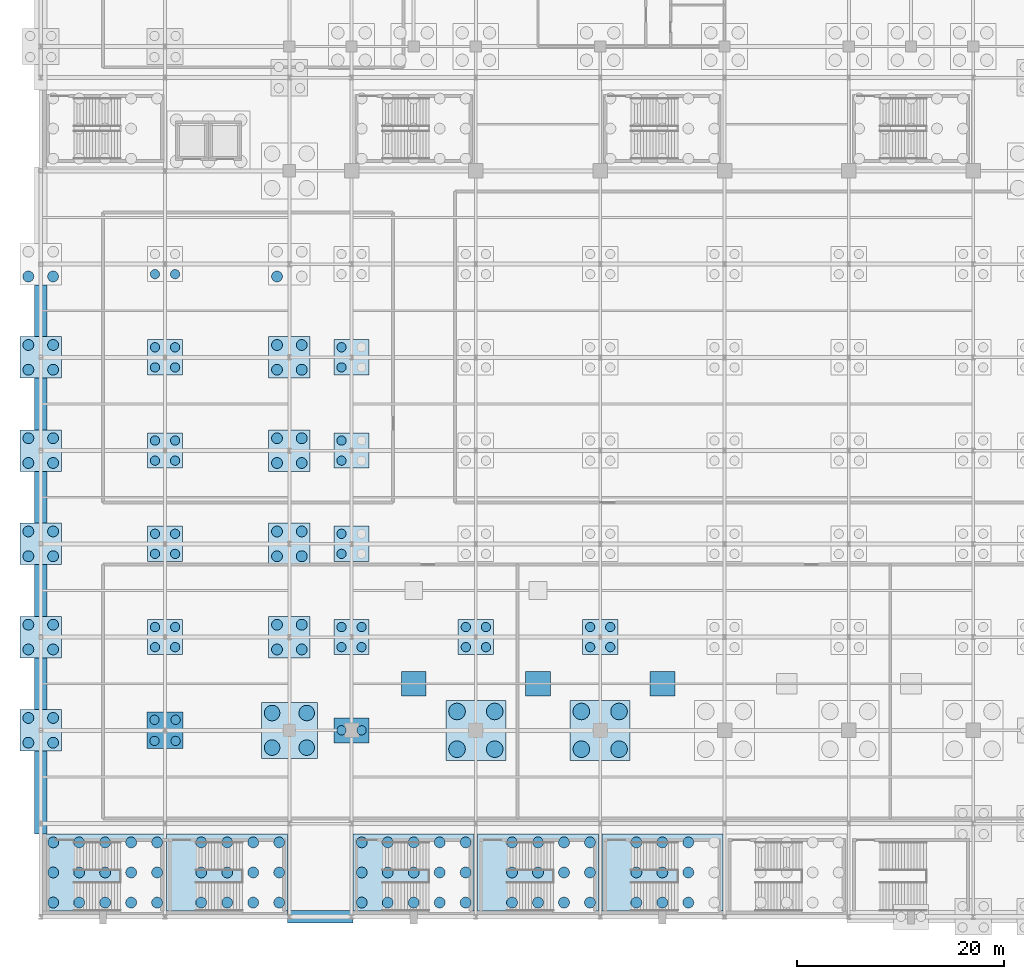
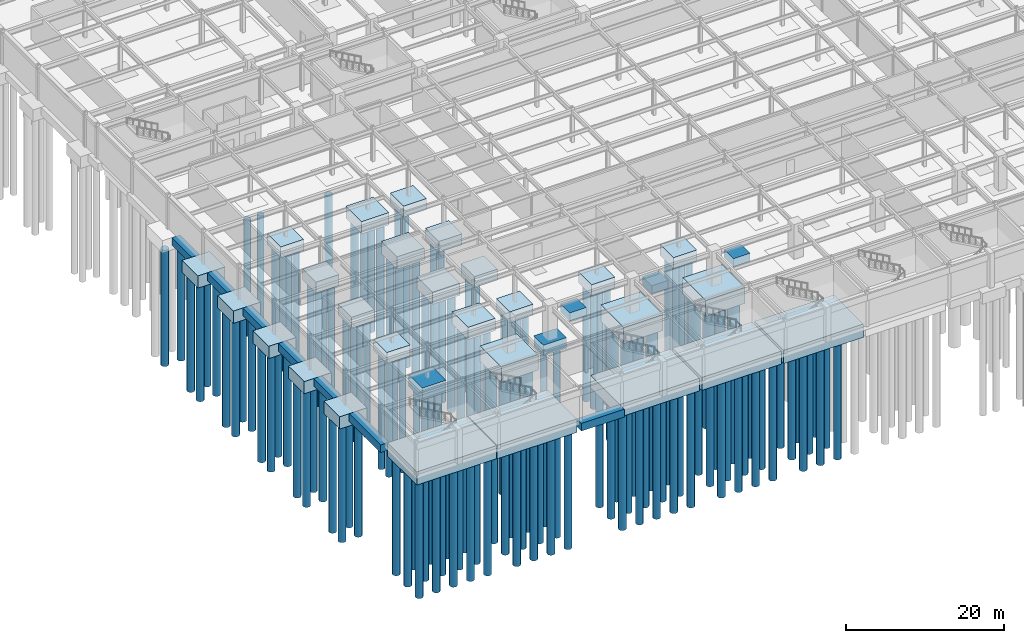
# One storey, part 1 of 47: 156 piles, 39 footings.
"""IFC4 building model written with IfcOpenShell, lengths in metres."""

from ifc_helpers import new_model, si_unit, direction, frame, origin, origin_2d, place, context, subcontext, project, spatial, rectangle, circle, extrude, material, material_profile, profile_set, type_object, element, save


model = new_model("IFC4")

# Units and contexts
model_context = context("Model", 3, precision=1e-05, world=origin(), true_north=direction((0.0, 1.0)))
body_context = subcontext(model_context, "Body", "Model", "MODEL_VIEW")
ifc_project = project(units=[si_unit("LENGTHUNIT", "METRE"), si_unit("AREAUNIT", "SQUARE_METRE"), si_unit("VOLUMEUNIT", "CUBIC_METRE"), si_unit("PLANEANGLEUNIT", "RADIAN"), si_unit("MASSUNIT", "GRAM", prefix="KILO")], contexts=[model_context])

# Site, building, storey
site_placement = place(None, origin())
site = spatial("IfcSite", under=ifc_project, at=site_placement, CompositionType="ELEMENT")
building_placement = place(site_placement, origin())
building = spatial("IfcBuilding", under=site, at=building_placement, Name="Kaldorvane Square Convention Centre", CompositionType="ELEMENT")
storey_placement = place(building_placement, frame((0.0, 0.0, -5.399993896484375)))
storey = spatial("IfcBuildingStorey", under=building, at=storey_placement, Name="B01", CompositionType="ELEMENT", Elevation=-5.399993896484375)

# Footings
ifc_material = material(Name="Concrete f'c = 42 MPa (Normalweight)", Category="concrete")
footing_type_1 = type_object("IfcFootingType", Name="FT-FB-1200X1200", PredefinedType="FOOTING_BEAM", material=ifc_material)
footing_1_placement = place(storey_placement, frame((27.0, 0.0, -1.20001220703125), z_axis=(0.0, 0.0, 1.0), x_axis=(1.0, 0.0, 0.0)))
element("IfcFooting", 1, at=footing_1_placement, inside=storey, type_object=footing_type_1, Name="Seismic Footing Beam 001", PredefinedType="FOOTING_BEAM", context=body_context, shape_type="SweptSolid", body=[
    extrude(rectangle(XDim=6.32000732421875, YDim=1.1999969482421875, at=origin_2d()), origin(), (0.0, 0.0, 1.0), 1.1999969482421875),
])
footing_2_placement = place(storey_placement, frame((0.0, 12.0050048828125, -1.20001220703125), z_axis=(0.0, 0.0, 1.0), x_axis=(1.0, 0.0, 0.0)))
element("IfcFooting", 2, at=footing_2_placement, inside=storey, type_object=footing_type_1, Name="Seismic Footing Beam 034", PredefinedType="FOOTING_BEAM", context=body_context, shape_type="SweptSolid", body=[
    extrude(rectangle(XDim=1.1999969482421875, YDim=7.9900054931640625, at=origin_2d()), origin(), (0.0, 0.0, 1.0), 1.1999969482421875),
])
for number, where, z_axis, x_axis, name in (
    (3, (0.0, 22.5, -1.20001220703125), (0.0, 0.0, 1.0), (1.0, 0.0, 0.0), "Seismic Footing Beam 035"),
    (4, (0.0, 31.5, -1.20001220703125), (0.0, 0.0, 1.0), (1.0, 0.0, 0.0), "Seismic Footing Beam 036"),
    (5, (0.0, 40.5, -1.20001220703125), (0.0, 0.0, 1.0), (1.0, 0.0, 0.0), "Seismic Footing Beam 037"),
    (6, (0.0, 49.5, -1.20001220703125), (0.0, 0.0, 1.0), (1.0, 0.0, 0.0), "Seismic Footing Beam 038"),
    (7, (0.0, 58.5, -1.20001220703125), (0.0, 0.0, 1.0), (1.0, 0.0, 0.0), "Seismic Footing Beam 039"),
):
    element("IfcFooting", number, at=place(storey_placement, frame(where, z_axis=z_axis, x_axis=x_axis)), inside=storey, type_object=footing_type_1, Name=name, PredefinedType="FOOTING_BEAM", context=body_context, shape_type="SweptSolid", body=[
        extrude(rectangle(XDim=1.1999969482421875, YDim=5.0, at=origin_2d()), origin(), (0.0, 0.0, 1.0), 1.1999969482421875),
    ])
footing_type_2 = type_object("IfcFootingType", Name="FT-PAD-2400", PredefinedType="PAD_FOOTING", material=ifc_material)
for number, where, z_axis, x_axis, name in (
    (8, (36.0, 22.5, -1.25), (0.0, 0.0, 1.0), (1.0, 0.0, 0.0), "Equipment Pad Footing PF-01"),
    (9, (48.0, 22.5, -1.25), (0.0, 0.0, 1.0), (1.0, 0.0, 0.0), "Equipment Pad Footing PF-02"),
    (10, (60.0, 22.5, -1.25), (0.0, 0.0, 1.0), (1.0, 0.0, 0.0), "Equipment Pad Footing PF-03"),
):
    element("IfcFooting", number, at=place(storey_placement, frame(where, z_axis=z_axis, x_axis=x_axis)), inside=storey, type_object=footing_type_2, Name=name, PredefinedType="PAD_FOOTING", context=body_context, shape_type="SweptSolid", body=[
        extrude(rectangle(XDim=2.399993896484375, YDim=2.399993896484375, at=origin_2d()), origin(), (0.0, 0.0, 1.0), 1.25),
    ])
footing_type_3 = type_object("IfcFootingType", Name="FT-PC-3400X2400", PredefinedType="PILE_CAP", material=ifc_material)
footing_3_placement = place(storey_placement, frame((30.0, 18.0, -1.6500091552734375), z_axis=(0.0, 0.0, 1.0), x_axis=(1.0, 0.0, 0.0)))
element("IfcFooting", 11, at=footing_3_placement, inside=storey, type_object=footing_type_3, Name="Pile Cap FC-38-045", PredefinedType="PILE_CAP", context=body_context, shape_type="SweptSolid", body=[
    extrude(rectangle(XDim=3.399993896484375, YDim=2.399993896484375, at=origin_2d()), origin(), (0.0, 0.0, 1.0), 1.649993896484375),
])
footing_type_4 = type_object("IfcFootingType", Name="FT-PC-3400X3400", PredefinedType="PILE_CAP", material=ifc_material)
for number, where, z_axis, x_axis, name in (
    (12, (12.0, 27.0, -1.70001220703125), (0.0, 0.0, 1.0), (1.0, 0.0, 0.0), "Pile Cap FC-37-018"),
    (13, (12.0, 36.0, -1.70001220703125), (0.0, 0.0, 1.0), (1.0, 0.0, 0.0), "Pile Cap FC-37-019"),
    (14, (12.0, 45.0, -1.70001220703125), (0.0, 0.0, 1.0), (1.0, 0.0, 0.0), "Pile Cap FC-37-020"),
    (15, (12.0, 54.0, -1.70001220703125), (0.0, 0.0, 1.0), (1.0, 0.0, 0.0), "Pile Cap FC-37-021"),
    (16, (30.0, 27.0, -1.70001220703125), (0.0, 0.0, 1.0), (1.0, 0.0, 0.0), "Pile Cap FC-37-046"),
    (17, (30.0, 36.0, -1.70001220703125), (0.0, 0.0, 1.0), (1.0, 0.0, 0.0), "Pile Cap FC-37-047"),
    (18, (30.0, 45.0, -1.70001220703125), (0.0, 0.0, 1.0), (1.0, 0.0, 0.0), "Pile Cap FC-37-048"),
    (19, (30.0, 54.0, -1.70001220703125), (0.0, 0.0, 1.0), (1.0, 0.0, 0.0), "Pile Cap FC-37-049"),
    (20, (42.0, 27.0, -1.70001220703125), (0.0, 0.0, 1.0), (1.0, 0.0, 0.0), "Pile Cap FC-37-064"),
    (21, (54.0, 27.0, -1.70001220703125), (0.0, 0.0, 1.0), (1.0, 0.0, 0.0), "Pile Cap FC-37-078"),
):
    element("IfcFooting", number, at=place(storey_placement, frame(where, z_axis=z_axis, x_axis=x_axis)), inside=storey, type_object=footing_type_4, Name=name, PredefinedType="PILE_CAP", context=body_context, shape_type="SweptSolid", body=[
        extrude(rectangle(XDim=3.399993896484375, YDim=3.399993896484375, at=origin_2d()), origin(), (0.0, 0.0, 1.0), 1.6999969482421875),
    ])
footing_type_5 = type_object("IfcFootingType", Name="FT-PC-3500X3500", PredefinedType="PILE_CAP", material=ifc_material)
footing_4_placement = place(storey_placement, frame((12.0, 18.0, -1.800018310546875), z_axis=(0.0, 0.0, 1.0), x_axis=(1.0, 0.0, 0.0)))
element("IfcFooting", 22, at=footing_4_placement, inside=storey, type_object=footing_type_5, Name="Pile Cap FC-36-017", PredefinedType="PILE_CAP", context=body_context, shape_type="SweptSolid", body=[
    extrude(rectangle(XDim=3.5, YDim=3.5, at=origin_2d()), origin(), (0.0, 0.0, 1.0), 1.8000030517578125),
])
footing_type_6 = type_object("IfcFootingType", Name="FT-PC-4000X4000", PredefinedType="PILE_CAP", material=ifc_material)
for number, where, z_axis, x_axis, name in (
    (23, (0.0, 18.0, -1.9000091552734375), (0.0, 0.0, 1.0), (1.0, 0.0, 0.0), "Pile Cap FC-35-003"),
    (24, (0.0, 27.0, -1.9000091552734375), (0.0, 0.0, 1.0), (1.0, 0.0, 0.0), "Pile Cap FC-35-004"),
    (25, (0.0, 36.0, -1.9000091552734375), (0.0, 0.0, 1.0), (1.0, 0.0, 0.0), "Pile Cap FC-35-005"),
    (26, (0.0, 45.0, -1.9000091552734375), (0.0, 0.0, 1.0), (1.0, 0.0, 0.0), "Pile Cap FC-35-006"),
    (27, (0.0, 54.0, -1.9000091552734375), (0.0, 0.0, 1.0), (1.0, 0.0, 0.0), "Pile Cap FC-35-007"),
    (28, (24.0, 27.0, -1.9000091552734375), (0.0, 0.0, 1.0), (1.0, 0.0, 0.0), "Pile Cap FC-35-032"),
    (29, (24.0, 36.0, -1.9000091552734375), (0.0, 0.0, 1.0), (1.0, 0.0, 0.0), "Pile Cap FC-35-033"),
    (30, (24.0, 45.0, -1.9000091552734375), (0.0, 0.0, 1.0), (1.0, 0.0, 0.0), "Pile Cap FC-35-034"),
    (31, (24.0, 54.0, -1.9000091552734375), (0.0, 0.0, 1.0), (1.0, 0.0, 0.0), "Pile Cap FC-35-035"),
):
    element("IfcFooting", number, at=place(storey_placement, frame(where, z_axis=z_axis, x_axis=x_axis)), inside=storey, type_object=footing_type_6, Name=name, PredefinedType="PILE_CAP", context=body_context, shape_type="SweptSolid", body=[
        extrude(rectangle(XDim=4.0, YDim=4.0, at=origin_2d()), origin(), (0.0, 0.0, 1.0), 1.899993896484375),
    ])
footing_type_7 = type_object("IfcFootingType", Name="FT-PC-5400X5400", PredefinedType="PILE_CAP", material=ifc_material)
footing_5_placement = place(storey_placement, frame((24.0, 18.0, -2.4000091552734375), z_axis=(0.0, 0.0, 1.0), x_axis=(1.0, 0.0, 0.0)))
element("IfcFooting", 32, at=footing_5_placement, inside=storey, type_object=footing_type_7, Name="Pile Cap FC-32-031", PredefinedType="PILE_CAP", context=body_context, shape_type="SweptSolid", body=[
    extrude(rectangle(XDim=5.399993896484375, YDim=5.399993896484375, at=origin_2d()), origin(), (0.0, 0.0, 1.0), 2.399993896484375),
])
footing_type_8 = type_object("IfcFootingType", Name="FT-PC-5800X5800", PredefinedType="PILE_CAP", material=ifc_material)
for number, where, z_axis, x_axis, name in (
    (33, (42.0, 18.0, -2.5), (0.0, 0.0, 1.0), (1.0, 0.0, 0.0), "Pile Cap FC-31-063"),
    (34, (54.0, 18.0, -2.5), (0.0, 0.0, 1.0), (1.0, 0.0, 0.0), "Pile Cap FC-31-077"),
):
    element("IfcFooting", number, at=place(storey_placement, frame(where, z_axis=z_axis, x_axis=x_axis)), inside=storey, type_object=footing_type_8, Name=name, PredefinedType="PILE_CAP", context=body_context, shape_type="SweptSolid", body=[
        extrude(rectangle(XDim=5.8000030517578125, YDim=5.8000030517578125, at=origin_2d()), origin(), (0.0, 0.0, 1.0), 2.5),
    ])
footing_type_9 = type_object("IfcFootingType", Name="FT-PC-STAIR-ST-C1", PredefinedType="PILE_CAP", material=ifc_material)
footing_6_placement = place(storey_placement, frame((6.220001220703125, 4.279998779296875, -2.050018310546875), z_axis=(0.0, 0.0, 1.0), x_axis=(1.0, 0.0, 0.0)))
element("IfcFooting", 35, at=footing_6_placement, inside=storey, type_object=footing_type_9, Name="Core Pile Cap FC-07", PredefinedType="PILE_CAP", context=body_context, shape_type="SweptSolid", body=[
    extrude(rectangle(XDim=11.67999267578125, YDim=7.4600067138671875, at=origin_2d()), origin(), (0.0, 0.0, 1.0), 2.0500030517578125),
])
footing_type_10 = type_object("IfcFootingType", Name="FT-PC-STAIR-ST-C2", PredefinedType="PILE_CAP", material=ifc_material)
footing_7_placement = place(storey_placement, frame((18.0, 4.279998779296875, -2.100006103515625), z_axis=(0.0, 0.0, 1.0), x_axis=(1.0, 0.0, 0.0)))
element("IfcFooting", 36, at=footing_7_placement, inside=storey, type_object=footing_type_10, Name="Core Pile Cap FC-08", PredefinedType="PILE_CAP", context=body_context, shape_type="SweptSolid", body=[
    extrude(rectangle(XDim=11.67999267578125, YDim=7.4600067138671875, at=origin_2d()), origin(), (0.0, 0.0, 1.0), 2.100006103515625),
])
footing_type_11 = type_object("IfcFootingType", Name="FT-PC-STAIR-ST-C3", PredefinedType="PILE_CAP", material=ifc_material)
footing_8_placement = place(storey_placement, frame((36.0, 4.279998779296875, -1.95001220703125), z_axis=(0.0, 0.0, 1.0), x_axis=(1.0, 0.0, 0.0)))
element("IfcFooting", 37, at=footing_8_placement, inside=storey, type_object=footing_type_11, Name="Core Pile Cap FC-09", PredefinedType="PILE_CAP", context=body_context, shape_type="SweptSolid", body=[
    extrude(rectangle(XDim=11.67999267578125, YDim=7.4600067138671875, at=origin_2d()), origin(), (0.0, 0.0, 1.0), 1.9499969482421875),
])
footing_type_12 = type_object("IfcFootingType", Name="FT-PC-STAIR-ST-C4", PredefinedType="PILE_CAP", material=ifc_material)
footing_9_placement = place(storey_placement, frame((48.0, 4.279998779296875, -2.0), z_axis=(0.0, 0.0, 1.0), x_axis=(1.0, 0.0, 0.0)))
element("IfcFooting", 38, at=footing_9_placement, inside=storey, type_object=footing_type_12, Name="Core Pile Cap FC-10", PredefinedType="PILE_CAP", context=body_context, shape_type="SweptSolid", body=[
    extrude(rectangle(XDim=11.67999267578125, YDim=7.4600067138671875, at=origin_2d()), origin(), (0.0, 0.0, 1.0), 2.0),
])
footing_type_13 = type_object("IfcFootingType", Name="FT-PC-STAIR-ST-C5", PredefinedType="PILE_CAP", material=ifc_material)
footing_10_placement = place(storey_placement, frame((60.0, 4.279998779296875, -2.050018310546875), z_axis=(0.0, 0.0, 1.0), x_axis=(1.0, 0.0, 0.0)))
element("IfcFooting", 39, at=footing_10_placement, inside=storey, type_object=footing_type_13, Name="Core Pile Cap FC-11", PredefinedType="PILE_CAP", context=body_context, shape_type="SweptSolid", body=[
    extrude(rectangle(XDim=11.67999267578125, YDim=7.4600067138671875, at=origin_2d()), origin(), (0.0, 0.0, 1.0), 2.0500030517578125),
])

# Piles
ifc_material_profile_1 = material_profile(ifc_material, circle(Radius=0.524993896484375, at=origin_2d()), Name="PILE-D1050")
ifc_profile_set_1 = profile_set([ifc_material_profile_1], Name="Concrete f'c = 42 MPa (Normalweight)")
pile_type_1 = type_object("IfcPileType", Name="PL-CIDH-1050", PredefinedType="BORED", material=ifc_profile_set_1)
for number, where, z_axis, x_axis, name in (
    (40, (1.2050018310546875, 1.375, -2.0500030517578125), (0.0, 0.0, -1.0), (1.0, 0.0, 0.0), "Bored Pile 0067"),
    (41, (1.2050018310546875, 4.279998779296875, -2.0500030517578125), (0.0, 0.0, -1.0), (1.0, 0.0, 0.0), "Bored Pile 0068"),
    (42, (1.2050018310546875, 7.18499755859375, -2.0500030517578125), (0.0, 0.0, -1.0), (1.0, 0.0, 0.0), "Bored Pile 0069"),
    (43, (3.712493896484375, 1.375, -2.0500030517578125), (0.0, 0.0, -1.0), (1.0, 0.0, 0.0), "Bored Pile 0070"),
    (44, (3.712493896484375, 4.279998779296875, -2.0500030517578125), (0.0, 0.0, -1.0), (1.0, 0.0, 0.0), "Bored Pile 0071"),
    (45, (3.712493896484375, 7.18499755859375, -2.0500030517578125), (0.0, 0.0, -1.0), (1.0, 0.0, 0.0), "Bored Pile 0072"),
    (46, (6.220001220703125, 1.375, -2.0500030517578125), (0.0, 0.0, -1.0), (1.0, 0.0, 0.0), "Bored Pile 0073"),
    (47, (6.220001220703125, 4.279998779296875, -2.0500030517578125), (0.0, 0.0, -1.0), (1.0, 0.0, 0.0), "Bored Pile 0074"),
    (48, (6.220001220703125, 7.18499755859375, -2.0500030517578125), (0.0, 0.0, -1.0), (1.0, 0.0, 0.0), "Bored Pile 0075"),
    (49, (8.727493286132812, 1.375, -2.0500030517578125), (0.0, 0.0, -1.0), (1.0, 0.0, 0.0), "Bored Pile 0076"),
    (50, (8.727493286132812, 4.279998779296875, -2.0500030517578125), (0.0, 0.0, -1.0), (1.0, 0.0, 0.0), "Bored Pile 0077"),
    (51, (8.727493286132812, 7.18499755859375, -2.0500030517578125), (0.0, 0.0, -1.0), (1.0, 0.0, 0.0), "Bored Pile 0078"),
    (52, (11.235000610351562, 1.375, -2.0500030517578125), (0.0, 0.0, -1.0), (1.0, 0.0, 0.0), "Bored Pile 0079"),
    (53, (11.235000610351562, 4.279998779296875, -2.0500030517578125), (0.0, 0.0, -1.0), (1.0, 0.0, 0.0), "Bored Pile 0080"),
    (54, (11.235000610351562, 7.18499755859375, -2.0500030517578125), (0.0, 0.0, -1.0), (1.0, 0.0, 0.0), "Bored Pile 0081"),
    (55, (15.49249267578125, 1.375, -2.100006103515625), (0.0, 0.0, -1.0), (1.0, 0.0, 0.0), "Bored Pile 0082"),
    (56, (15.49249267578125, 4.279998779296875, -2.100006103515625), (0.0, 0.0, -1.0), (1.0, 0.0, 0.0), "Bored Pile 0083"),
    (57, (15.49249267578125, 7.18499755859375, -2.100006103515625), (0.0, 0.0, -1.0), (1.0, 0.0, 0.0), "Bored Pile 0084"),
    (58, (18.0, 1.375, -2.100006103515625), (0.0, 0.0, -1.0), (1.0, 0.0, 0.0), "Bored Pile 0085"),
    (59, (18.0, 4.279998779296875, -2.100006103515625), (0.0, 0.0, -1.0), (1.0, 0.0, 0.0), "Bored Pile 0086"),
    (60, (18.0, 7.18499755859375, -2.100006103515625), (0.0, 0.0, -1.0), (1.0, 0.0, 0.0), "Bored Pile 0087"),
    (61, (20.50750732421875, 1.375, -2.100006103515625), (0.0, 0.0, -1.0), (1.0, 0.0, 0.0), "Bored Pile 0088"),
    (62, (20.50750732421875, 4.279998779296875, -2.100006103515625), (0.0, 0.0, -1.0), (1.0, 0.0, 0.0), "Bored Pile 0089"),
    (63, (20.50750732421875, 7.18499755859375, -2.100006103515625), (0.0, 0.0, -1.0), (1.0, 0.0, 0.0), "Bored Pile 0090"),
    (64, (23.014999389648438, 1.375, -2.100006103515625), (0.0, 0.0, -1.0), (1.0, 0.0, 0.0), "Bored Pile 0091"),
    (65, (23.014999389648438, 4.279998779296875, -2.100006103515625), (0.0, 0.0, -1.0), (1.0, 0.0, 0.0), "Bored Pile 0092"),
    (66, (23.014999389648438, 7.18499755859375, -2.100006103515625), (0.0, 0.0, -1.0), (1.0, 0.0, 0.0), "Bored Pile 0093"),
    (67, (30.985000610351562, 1.375, -1.95001220703125), (0.0, 0.0, -1.0), (1.0, 0.0, 0.0), "Bored Pile 0094"),
    (68, (30.985000610351562, 4.279998779296875, -1.95001220703125), (0.0, 0.0, -1.0), (1.0, 0.0, 0.0), "Bored Pile 0095"),
    (69, (30.985000610351562, 7.18499755859375, -1.95001220703125), (0.0, 0.0, -1.0), (1.0, 0.0, 0.0), "Bored Pile 0096"),
    (70, (33.49249267578125, 1.375, -1.95001220703125), (0.0, 0.0, -1.0), (1.0, 0.0, 0.0), "Bored Pile 0097"),
    (71, (33.49249267578125, 4.279998779296875, -1.95001220703125), (0.0, 0.0, -1.0), (1.0, 0.0, 0.0), "Bored Pile 0098"),
    (72, (33.49249267578125, 7.18499755859375, -1.95001220703125), (0.0, 0.0, -1.0), (1.0, 0.0, 0.0), "Bored Pile 0099"),
    (73, (36.0, 1.375, -1.95001220703125), (0.0, 0.0, -1.0), (1.0, 0.0, 0.0), "Bored Pile 0100"),
    (74, (36.0, 4.279998779296875, -1.95001220703125), (0.0, 0.0, -1.0), (1.0, 0.0, 0.0), "Bored Pile 0101"),
    (75, (36.0, 7.18499755859375, -1.95001220703125), (0.0, 0.0, -1.0), (1.0, 0.0, 0.0), "Bored Pile 0102"),
    (76, (38.50750732421875, 1.375, -1.95001220703125), (0.0, 0.0, -1.0), (1.0, 0.0, 0.0), "Bored Pile 0103"),
    (77, (38.50750732421875, 4.279998779296875, -1.95001220703125), (0.0, 0.0, -1.0), (1.0, 0.0, 0.0), "Bored Pile 0104"),
    (78, (38.50750732421875, 7.18499755859375, -1.95001220703125), (0.0, 0.0, -1.0), (1.0, 0.0, 0.0), "Bored Pile 0105"),
    (79, (41.01499938964844, 1.375, -1.95001220703125), (0.0, 0.0, -1.0), (1.0, 0.0, 0.0), "Bored Pile 0106"),
    (80, (41.01499938964844, 4.279998779296875, -1.95001220703125), (0.0, 0.0, -1.0), (1.0, 0.0, 0.0), "Bored Pile 0107"),
    (81, (41.01499938964844, 7.18499755859375, -1.95001220703125), (0.0, 0.0, -1.0), (1.0, 0.0, 0.0), "Bored Pile 0108"),
    (82, (45.49249267578125, 1.375, -2.0), (0.0, 0.0, -1.0), (1.0, 0.0, 0.0), "Bored Pile 0109"),
    (83, (45.49249267578125, 4.279998779296875, -2.0), (0.0, 0.0, -1.0), (1.0, 0.0, 0.0), "Bored Pile 0110"),
    (84, (45.49249267578125, 7.18499755859375, -2.0), (0.0, 0.0, -1.0), (1.0, 0.0, 0.0), "Bored Pile 0111"),
    (85, (48.0, 1.375, -2.0), (0.0, 0.0, -1.0), (1.0, 0.0, 0.0), "Bored Pile 0112"),
    (86, (48.0, 4.279998779296875, -2.0), (0.0, 0.0, -1.0), (1.0, 0.0, 0.0), "Bored Pile 0113"),
    (87, (48.0, 7.18499755859375, -2.0), (0.0, 0.0, -1.0), (1.0, 0.0, 0.0), "Bored Pile 0114"),
    (88, (50.50750732421875, 1.375, -2.0), (0.0, 0.0, -1.0), (1.0, 0.0, 0.0), "Bored Pile 0115"),
    (89, (50.50750732421875, 4.279998779296875, -2.0), (0.0, 0.0, -1.0), (1.0, 0.0, 0.0), "Bored Pile 0116"),
    (90, (50.50750732421875, 7.18499755859375, -2.0), (0.0, 0.0, -1.0), (1.0, 0.0, 0.0), "Bored Pile 0117"),
    (91, (53.01499938964844, 1.375, -2.0), (0.0, 0.0, -1.0), (1.0, 0.0, 0.0), "Bored Pile 0118"),
    (92, (53.01499938964844, 4.279998779296875, -2.0), (0.0, 0.0, -1.0), (1.0, 0.0, 0.0), "Bored Pile 0119"),
    (93, (53.01499938964844, 7.18499755859375, -2.0), (0.0, 0.0, -1.0), (1.0, 0.0, 0.0), "Bored Pile 0120"),
    (94, (57.49249267578125, 1.375, -2.0500030517578125), (0.0, 0.0, -1.0), (1.0, 0.0, 0.0), "Bored Pile 0121"),
    (95, (57.49249267578125, 4.279998779296875, -2.0500030517578125), (0.0, 0.0, -1.0), (1.0, 0.0, 0.0), "Bored Pile 0122"),
    (96, (57.49249267578125, 7.18499755859375, -2.0500030517578125), (0.0, 0.0, -1.0), (1.0, 0.0, 0.0), "Bored Pile 0123"),
    (97, (60.0, 1.375, -2.0500030517578125), (0.0, 0.0, -1.0), (1.0, 0.0, 0.0), "Bored Pile 0124"),
    (98, (60.0, 4.279998779296875, -2.0500030517578125), (0.0, 0.0, -1.0), (1.0, 0.0, 0.0), "Bored Pile 0125"),
    (99, (60.0, 7.18499755859375, -2.0500030517578125), (0.0, 0.0, -1.0), (1.0, 0.0, 0.0), "Bored Pile 0126"),
    (100, (62.50750732421875, 1.375, -2.0500030517578125), (0.0, 0.0, -1.0), (1.0, 0.0, 0.0), "Bored Pile 0127"),
    (101, (62.50750732421875, 4.279998779296875, -2.0500030517578125), (0.0, 0.0, -1.0), (1.0, 0.0, 0.0), "Bored Pile 0128"),
    (102, (62.50750732421875, 7.18499755859375, -2.0500030517578125), (0.0, 0.0, -1.0), (1.0, 0.0, 0.0), "Bored Pile 0129"),
    (103, (-1.19500732421875, 16.80499267578125, -1.9000091552734375), (0.0, 0.0, -1.0), (1.0, 0.0, 0.0), "Bored Pile 0308"),
    (104, (-1.19500732421875, 19.19500732421875, -1.9000091552734375), (0.0, 0.0, -1.0), (1.0, 0.0, 0.0), "Bored Pile 0309"),
    (105, (1.19500732421875, 16.80499267578125, -1.9000091552734375), (0.0, 0.0, -1.0), (1.0, 0.0, 0.0), "Bored Pile 0310"),
    (106, (1.19500732421875, 19.19500732421875, -1.9000091552734375), (0.0, 0.0, -1.0), (1.0, 0.0, 0.0), "Bored Pile 0311"),
    (107, (-1.19500732421875, 25.80499267578125, -1.9000091552734375), (0.0, 0.0, -1.0), (1.0, 0.0, 0.0), "Bored Pile 0312"),
    (108, (-1.19500732421875, 28.19500732421875, -1.9000091552734375), (0.0, 0.0, -1.0), (1.0, 0.0, 0.0), "Bored Pile 0313"),
    (109, (1.19500732421875, 25.80499267578125, -1.9000091552734375), (0.0, 0.0, -1.0), (1.0, 0.0, 0.0), "Bored Pile 0314"),
    (110, (1.19500732421875, 28.19500732421875, -1.9000091552734375), (0.0, 0.0, -1.0), (1.0, 0.0, 0.0), "Bored Pile 0315"),
    (111, (-1.19500732421875, 34.80499267578125, -1.9000091552734375), (0.0, 0.0, -1.0), (1.0, 0.0, 0.0), "Bored Pile 0316"),
    (112, (-1.19500732421875, 37.19500732421875, -1.9000091552734375), (0.0, 0.0, -1.0), (1.0, 0.0, 0.0), "Bored Pile 0317"),
    (113, (1.19500732421875, 34.80499267578125, -1.9000091552734375), (0.0, 0.0, -1.0), (1.0, 0.0, 0.0), "Bored Pile 0318"),
    (114, (1.19500732421875, 37.19500732421875, -1.9000091552734375), (0.0, 0.0, -1.0), (1.0, 0.0, 0.0), "Bored Pile 0319"),
    (115, (-1.19500732421875, 43.80499267578125, -1.9000091552734375), (0.0, 0.0, -1.0), (1.0, 0.0, 0.0), "Bored Pile 0320"),
    (116, (-1.19500732421875, 46.19500732421875, -1.9000091552734375), (0.0, 0.0, -1.0), (1.0, 0.0, 0.0), "Bored Pile 0321"),
    (117, (1.19500732421875, 43.80499267578125, -1.9000091552734375), (0.0, 0.0, -1.0), (1.0, 0.0, 0.0), "Bored Pile 0322"),
    (118, (1.19500732421875, 46.19500732421875, -1.9000091552734375), (0.0, 0.0, -1.0), (1.0, 0.0, 0.0), "Bored Pile 0323"),
    (119, (-1.19500732421875, 52.80499267578125, -1.9000091552734375), (0.0, 0.0, -1.0), (1.0, 0.0, 0.0), "Bored Pile 0324"),
    (120, (-1.19500732421875, 55.19500732421875, -1.9000091552734375), (0.0, 0.0, -1.0), (1.0, 0.0, 0.0), "Bored Pile 0325"),
    (121, (1.19500732421875, 52.80499267578125, -1.9000091552734375), (0.0, 0.0, -1.0), (1.0, 0.0, 0.0), "Bored Pile 0326"),
    (122, (1.19500732421875, 55.19500732421875, -1.9000091552734375), (0.0, 0.0, -1.0), (1.0, 0.0, 0.0), "Bored Pile 0327"),
    (123, (-1.19500732421875, 61.80499267578125, -1.9000091552734375), (0.0, 0.0, -1.0), (1.0, 0.0, 0.0), "Bored Pile 0328"),
    (124, (1.19500732421875, 61.80499267578125, -1.9000091552734375), (0.0, 0.0, -1.0), (1.0, 0.0, 0.0), "Bored Pile 0330"),
    (125, (22.80499267578125, 25.80499267578125, -1.9000091552734375), (0.0, 0.0, -1.0), (1.0, 0.0, 0.0), "Bored Pile 0392"),
    (126, (22.80499267578125, 28.19500732421875, -1.9000091552734375), (0.0, 0.0, -1.0), (1.0, 0.0, 0.0), "Bored Pile 0393"),
    (127, (25.19500732421875, 25.80499267578125, -1.9000091552734375), (0.0, 0.0, -1.0), (1.0, 0.0, 0.0), "Bored Pile 0394"),
    (128, (25.19500732421875, 28.19500732421875, -1.9000091552734375), (0.0, 0.0, -1.0), (1.0, 0.0, 0.0), "Bored Pile 0395"),
    (129, (22.80499267578125, 34.80499267578125, -1.9000091552734375), (0.0, 0.0, -1.0), (1.0, 0.0, 0.0), "Bored Pile 0396"),
    (130, (22.80499267578125, 37.19500732421875, -1.9000091552734375), (0.0, 0.0, -1.0), (1.0, 0.0, 0.0), "Bored Pile 0397"),
    (131, (25.19500732421875, 34.80499267578125, -1.9000091552734375), (0.0, 0.0, -1.0), (1.0, 0.0, 0.0), "Bored Pile 0398"),
    (132, (25.19500732421875, 37.19500732421875, -1.9000091552734375), (0.0, 0.0, -1.0), (1.0, 0.0, 0.0), "Bored Pile 0399"),
    (133, (22.80499267578125, 43.80499267578125, -1.9000091552734375), (0.0, 0.0, -1.0), (1.0, 0.0, 0.0), "Bored Pile 0400"),
    (134, (22.80499267578125, 46.19500732421875, -1.9000091552734375), (0.0, 0.0, -1.0), (1.0, 0.0, 0.0), "Bored Pile 0401"),
    (135, (25.19500732421875, 43.80499267578125, -1.9000091552734375), (0.0, 0.0, -1.0), (1.0, 0.0, 0.0), "Bored Pile 0402"),
    (136, (25.19500732421875, 46.19500732421875, -1.9000091552734375), (0.0, 0.0, -1.0), (1.0, 0.0, 0.0), "Bored Pile 0403"),
    (137, (22.80499267578125, 52.80499267578125, -1.9000091552734375), (0.0, 0.0, -1.0), (1.0, 0.0, 0.0), "Bored Pile 0404"),
    (138, (22.80499267578125, 55.19500732421875, -1.9000091552734375), (0.0, 0.0, -1.0), (1.0, 0.0, 0.0), "Bored Pile 0405"),
    (139, (25.19500732421875, 52.80499267578125, -1.9000091552734375), (0.0, 0.0, -1.0), (1.0, 0.0, 0.0), "Bored Pile 0406"),
    (140, (25.19500732421875, 55.19500732421875, -1.9000091552734375), (0.0, 0.0, -1.0), (1.0, 0.0, 0.0), "Bored Pile 0407"),
    (141, (22.80499267578125, 61.80499267578125, -1.9000091552734375), (0.0, 0.0, -1.0), (1.0, 0.0, 0.0), "Bored Pile 0408"),
):
    element("IfcPile", number, at=place(storey_placement, frame(where, z_axis=z_axis, x_axis=x_axis)), inside=storey, type_object=pile_type_1, Name=name, PredefinedType="BORED", context=body_context, shape_type="SweptSolid", body=[
        extrude(circle(Radius=0.524993896484375, at=origin_2d()), origin(), (0.0, 0.0, 1.0), 18.0),
    ])
ifc_material_profile_2 = material_profile(ifc_material, circle(Radius=0.75, at=origin_2d()), Name="PILE-D1500")
ifc_profile_set_2 = profile_set([ifc_material_profile_2], Name="Concrete f'c = 42 MPa (Normalweight)")
pile_type_2 = type_object("IfcPileType", Name="PL-CIDH-1500", PredefinedType="BORED", material=ifc_profile_set_2)
for number, where, z_axis, x_axis, name in (
    (142, (22.330001831054688, 16.330001831054688, -2.4000091552734375), (0.0, 0.0, -1.0), (1.0, 0.0, 0.0), "Bored Pile 0388"),
    (143, (22.330001831054688, 19.669998168945312, -2.4000091552734375), (0.0, 0.0, -1.0), (1.0, 0.0, 0.0), "Bored Pile 0389"),
    (144, (25.669998168945312, 16.330001831054688, -2.4000091552734375), (0.0, 0.0, -1.0), (1.0, 0.0, 0.0), "Bored Pile 0390"),
    (145, (25.669998168945312, 19.669998168945312, -2.4000091552734375), (0.0, 0.0, -1.0), (1.0, 0.0, 0.0), "Bored Pile 0391"),
):
    element("IfcPile", number, at=place(storey_placement, frame(where, z_axis=z_axis, x_axis=x_axis)), inside=storey, type_object=pile_type_2, Name=name, PredefinedType="BORED", context=body_context, shape_type="SweptSolid", body=[
        extrude(circle(Radius=0.75, at=origin_2d()), origin(), (0.0, 0.0, 1.0), 18.0),
    ])
ifc_material_profile_3 = material_profile(ifc_material, circle(Radius=0.8000030517578125, at=origin_2d()), Name="PILE-D1600")
ifc_profile_set_3 = profile_set([ifc_material_profile_3], Name="Concrete f'c = 42 MPa (Normalweight)")
pile_type_3 = type_object("IfcPileType", Name="PL-CIDH-1600", PredefinedType="BORED", material=ifc_profile_set_3)
for number, where, z_axis, x_axis, name in (
    (146, (40.17999267578125, 16.17999267578125, -2.5), (0.0, 0.0, -1.0), (1.0, 0.0, 0.0), "Bored Pile 0480"),
    (147, (40.17999267578125, 19.82000732421875, -2.5), (0.0, 0.0, -1.0), (1.0, 0.0, 0.0), "Bored Pile 0481"),
    (148, (43.82000732421875, 16.17999267578125, -2.5), (0.0, 0.0, -1.0), (1.0, 0.0, 0.0), "Bored Pile 0482"),
    (149, (43.82000732421875, 19.82000732421875, -2.5), (0.0, 0.0, -1.0), (1.0, 0.0, 0.0), "Bored Pile 0483"),
    (150, (52.17999267578125, 16.17999267578125, -2.5), (0.0, 0.0, -1.0), (1.0, 0.0, 0.0), "Bored Pile 0514"),
    (151, (52.17999267578125, 19.82000732421875, -2.5), (0.0, 0.0, -1.0), (1.0, 0.0, 0.0), "Bored Pile 0515"),
    (152, (55.82000732421875, 16.17999267578125, -2.5), (0.0, 0.0, -1.0), (1.0, 0.0, 0.0), "Bored Pile 0516"),
    (153, (55.82000732421875, 19.82000732421875, -2.5), (0.0, 0.0, -1.0), (1.0, 0.0, 0.0), "Bored Pile 0517"),
):
    element("IfcPile", number, at=place(storey_placement, frame(where, z_axis=z_axis, x_axis=x_axis)), inside=storey, type_object=pile_type_3, Name=name, PredefinedType="BORED", context=body_context, shape_type="SweptSolid", body=[
        extrude(circle(Radius=0.8000030517578125, at=origin_2d()), origin(), (0.0, 0.0, 1.0), 18.0),
    ])
ifc_material_profile_4 = material_profile(ifc_material, circle(Radius=0.4499969482421875, at=origin_2d()), Name="PILE-D900")
ifc_profile_set_4 = profile_set([ifc_material_profile_4], Name="Concrete f'c = 42 MPa (Normalweight)")
pile_type_4 = type_object("IfcPileType", Name="PL-CIDH-900", PredefinedType="BORED", material=ifc_profile_set_4)
for number, where, z_axis, x_axis, name in (
    (154, (10.979995727539062, 16.979995727539062, -1.8000030517578125), (0.0, 0.0, -1.0), (1.0, 0.0, 0.0), "Bored Pile 0348"),
    (155, (10.979995727539062, 19.020004272460938, -1.8000030517578125), (0.0, 0.0, -1.0), (1.0, 0.0, 0.0), "Bored Pile 0349"),
    (156, (13.020004272460938, 16.979995727539062, -1.8000030517578125), (0.0, 0.0, -1.0), (1.0, 0.0, 0.0), "Bored Pile 0350"),
    (157, (13.020004272460938, 19.020004272460938, -1.8000030517578125), (0.0, 0.0, -1.0), (1.0, 0.0, 0.0), "Bored Pile 0351"),
    (158, (11.029998779296875, 26.029998779296875, -1.70001220703125), (0.0, 0.0, -1.0), (1.0, 0.0, 0.0), "Bored Pile 0352"),
    (159, (11.029998779296875, 27.970001220703125, -1.70001220703125), (0.0, 0.0, -1.0), (1.0, 0.0, 0.0), "Bored Pile 0353"),
    (160, (12.970001220703125, 26.029998779296875, -1.70001220703125), (0.0, 0.0, -1.0), (1.0, 0.0, 0.0), "Bored Pile 0354"),
    (161, (12.970001220703125, 27.970001220703125, -1.70001220703125), (0.0, 0.0, -1.0), (1.0, 0.0, 0.0), "Bored Pile 0355"),
    (162, (11.029998779296875, 35.029998779296875, -1.70001220703125), (0.0, 0.0, -1.0), (1.0, 0.0, 0.0), "Bored Pile 0356"),
    (163, (11.029998779296875, 36.970001220703125, -1.70001220703125), (0.0, 0.0, -1.0), (1.0, 0.0, 0.0), "Bored Pile 0357"),
    (164, (12.970001220703125, 35.029998779296875, -1.70001220703125), (0.0, 0.0, -1.0), (1.0, 0.0, 0.0), "Bored Pile 0358"),
    (165, (12.970001220703125, 36.970001220703125, -1.70001220703125), (0.0, 0.0, -1.0), (1.0, 0.0, 0.0), "Bored Pile 0359"),
    (166, (11.029998779296875, 44.029998779296875, -1.70001220703125), (0.0, 0.0, -1.0), (1.0, 0.0, 0.0), "Bored Pile 0360"),
    (167, (11.029998779296875, 45.970001220703125, -1.70001220703125), (0.0, 0.0, -1.0), (1.0, 0.0, 0.0), "Bored Pile 0361"),
    (168, (12.970001220703125, 44.029998779296875, -1.70001220703125), (0.0, 0.0, -1.0), (1.0, 0.0, 0.0), "Bored Pile 0362"),
    (169, (12.970001220703125, 45.970001220703125, -1.70001220703125), (0.0, 0.0, -1.0), (1.0, 0.0, 0.0), "Bored Pile 0363"),
    (170, (11.029998779296875, 53.029998779296875, -1.70001220703125), (0.0, 0.0, -1.0), (1.0, 0.0, 0.0), "Bored Pile 0364"),
    (171, (11.029998779296875, 54.970001220703125, -1.70001220703125), (0.0, 0.0, -1.0), (1.0, 0.0, 0.0), "Bored Pile 0365"),
    (172, (12.970001220703125, 53.029998779296875, -1.70001220703125), (0.0, 0.0, -1.0), (1.0, 0.0, 0.0), "Bored Pile 0366"),
    (173, (12.970001220703125, 54.970001220703125, -1.70001220703125), (0.0, 0.0, -1.0), (1.0, 0.0, 0.0), "Bored Pile 0367"),
    (174, (11.029998779296875, 62.029998779296875, -1.70001220703125), (0.0, 0.0, -1.0), (1.0, 0.0, 0.0), "Bored Pile 0368"),
    (175, (12.970001220703125, 62.029998779296875, -1.70001220703125), (0.0, 0.0, -1.0), (1.0, 0.0, 0.0), "Bored Pile 0370"),
    (176, (29.029998779296875, 18.0, -1.6500091552734375), (0.0, 0.0, -1.0), (1.0, 0.0, 0.0), "Bored Pile 0432"),
    (177, (30.970001220703125, 18.0, -1.6500091552734375), (0.0, 0.0, -1.0), (1.0, 0.0, 0.0), "Bored Pile 0433"),
    (178, (29.029998779296875, 26.029998779296875, -1.70001220703125), (0.0, 0.0, -1.0), (1.0, 0.0, 0.0), "Bored Pile 0434"),
    (179, (29.029998779296875, 27.970001220703125, -1.70001220703125), (0.0, 0.0, -1.0), (1.0, 0.0, 0.0), "Bored Pile 0435"),
    (180, (30.970001220703125, 26.029998779296875, -1.70001220703125), (0.0, 0.0, -1.0), (1.0, 0.0, 0.0), "Bored Pile 0436"),
    (181, (30.970001220703125, 27.970001220703125, -1.70001220703125), (0.0, 0.0, -1.0), (1.0, 0.0, 0.0), "Bored Pile 0437"),
    (182, (29.029998779296875, 35.029998779296875, -1.70001220703125), (0.0, 0.0, -1.0), (1.0, 0.0, 0.0), "Bored Pile 0438"),
    (183, (29.029998779296875, 36.970001220703125, -1.70001220703125), (0.0, 0.0, -1.0), (1.0, 0.0, 0.0), "Bored Pile 0439"),
    (184, (29.029998779296875, 44.029998779296875, -1.70001220703125), (0.0, 0.0, -1.0), (1.0, 0.0, 0.0), "Bored Pile 0442"),
    (185, (29.029998779296875, 45.970001220703125, -1.70001220703125), (0.0, 0.0, -1.0), (1.0, 0.0, 0.0), "Bored Pile 0443"),
    (186, (29.029998779296875, 53.029998779296875, -1.70001220703125), (0.0, 0.0, -1.0), (1.0, 0.0, 0.0), "Bored Pile 0446"),
    (187, (29.029998779296875, 54.970001220703125, -1.70001220703125), (0.0, 0.0, -1.0), (1.0, 0.0, 0.0), "Bored Pile 0447"),
    (188, (41.029998779296875, 26.029998779296875, -1.70001220703125), (0.0, 0.0, -1.0), (1.0, 0.0, 0.0), "Bored Pile 0484"),
    (189, (41.029998779296875, 27.970001220703125, -1.70001220703125), (0.0, 0.0, -1.0), (1.0, 0.0, 0.0), "Bored Pile 0485"),
    (190, (42.970001220703125, 26.029998779296875, -1.70001220703125), (0.0, 0.0, -1.0), (1.0, 0.0, 0.0), "Bored Pile 0486"),
    (191, (42.970001220703125, 27.970001220703125, -1.70001220703125), (0.0, 0.0, -1.0), (1.0, 0.0, 0.0), "Bored Pile 0487"),
    (192, (53.029998779296875, 26.029998779296875, -1.70001220703125), (0.0, 0.0, -1.0), (1.0, 0.0, 0.0), "Bored Pile 0518"),
    (193, (53.029998779296875, 27.970001220703125, -1.70001220703125), (0.0, 0.0, -1.0), (1.0, 0.0, 0.0), "Bored Pile 0519"),
    (194, (54.970001220703125, 26.029998779296875, -1.70001220703125), (0.0, 0.0, -1.0), (1.0, 0.0, 0.0), "Bored Pile 0520"),
    (195, (54.970001220703125, 27.970001220703125, -1.70001220703125), (0.0, 0.0, -1.0), (1.0, 0.0, 0.0), "Bored Pile 0521"),
):
    element("IfcPile", number, at=place(storey_placement, frame(where, z_axis=z_axis, x_axis=x_axis)), inside=storey, type_object=pile_type_4, Name=name, PredefinedType="BORED", context=body_context, shape_type="SweptSolid", body=[
        extrude(circle(Radius=0.4499969482421875, at=origin_2d()), origin(), (0.0, 0.0, 1.0), 18.0),
    ])

save(model, "model.ifc")
